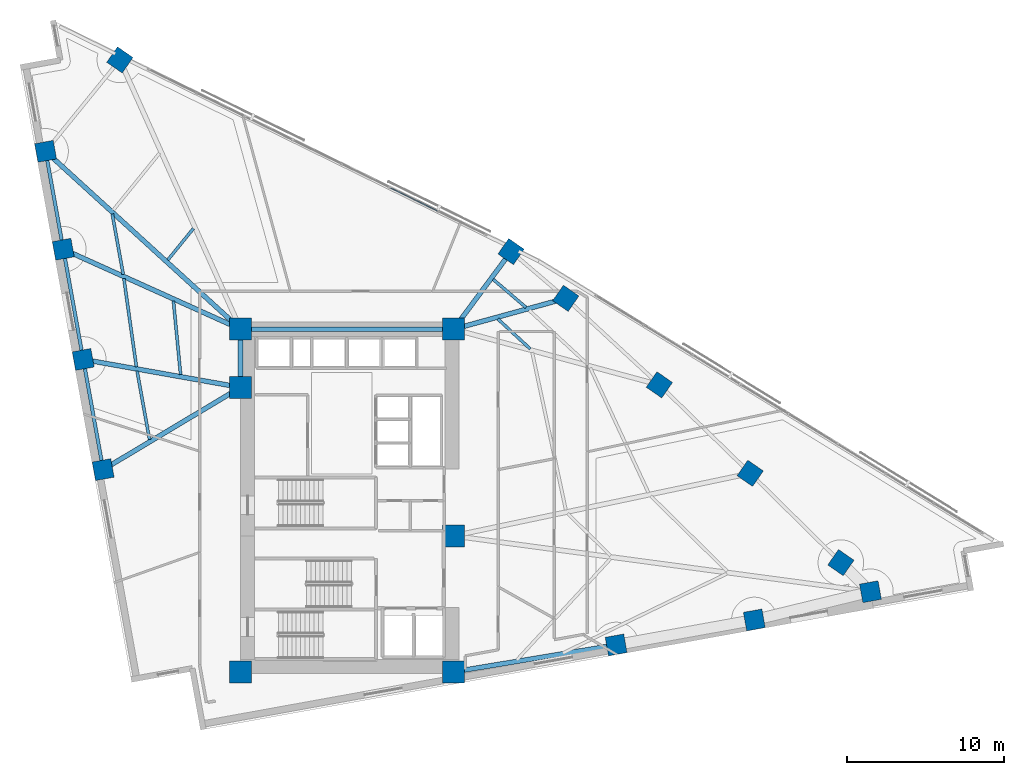
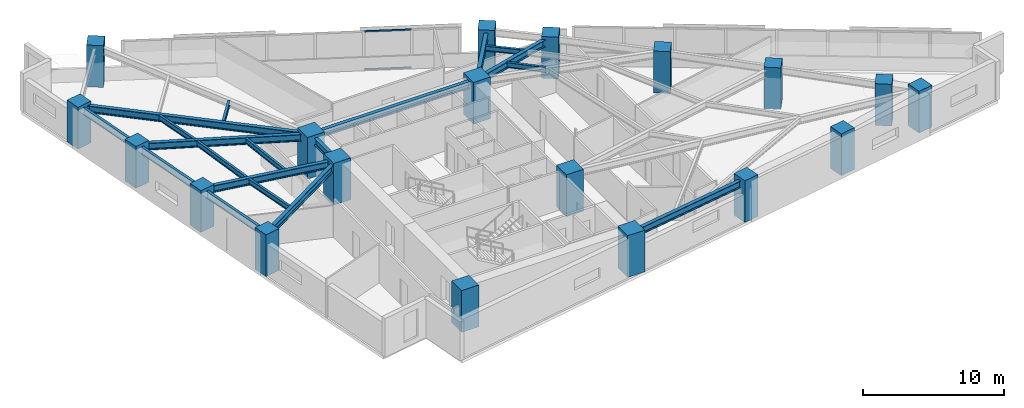
# One storey, part 1 of 18: 19 beams, 19 columns, 2 members, 1 element without a shape of its own.
"""IFC4 building model written with IfcOpenShell, lengths in metres."""

from ifc_helpers import new_model, si_unit, direction, frame, origin, origin_2d, place, context, subcontext, project, spatial, rectangle, hollow_rectangle, i_section, extrude, material, material_profile, profile_set, type_object, element, aggregate, save


model = new_model("IFC4")

# Units and contexts
model_context = context("Model", 3, precision=1e-05, world=origin(), true_north=direction((0.0, 1.0)))
body_context = subcontext(model_context, "Body", "Model", "MODEL_VIEW")
ifc_project = project(units=[si_unit("LENGTHUNIT", "METRE"), si_unit("AREAUNIT", "SQUARE_METRE"), si_unit("VOLUMEUNIT", "CUBIC_METRE"), si_unit("PLANEANGLEUNIT", "RADIAN"), si_unit("MASSUNIT", "GRAM", prefix="KILO")], contexts=[model_context])

# Site, building, storey
site_placement = place(None, origin())
site = spatial("IfcSite", under=ifc_project, at=site_placement, CompositionType="ELEMENT")
building_placement = place(site_placement, origin())
building = spatial("IfcBuilding", under=site, at=building_placement, Name="Narakoshi Arena Tower", CompositionType="ELEMENT")
storey_placement = place(building_placement, frame((0.0, 0.0, 110.10009765625)))
storey = spatial("IfcBuildingStorey", under=building, at=storey_placement, Name="L29", CompositionType="ELEMENT", Elevation=110.10009765625)

# Columns
ifc_material_1 = material(Name="Concrete C60/75", Category="concrete")
ifc_material_profile_1 = material_profile(ifc_material_1, rectangle(XDim=1.199951171875, YDim=1.199951171875, at=origin_2d()), Name="RC1200x1200")
ifc_profile_set_1 = profile_set([ifc_material_profile_1], Name="Concrete C60/75")
column_type_1 = type_object("IfcColumnType", Name="COL-RC1200", PredefinedType="COLUMN", material=ifc_profile_set_1)
for number, where, z_axis, x_axis, name in (
    (1, (95.89013671875, 36.411865234375, 0.0), (0.0, 0.0, 1.0), (0.984040697646, 0.177943545474, 0.0), "L29 Tower Perimeter Column TC02"),
    (2, (104.681396484375, 38.00146484375, 0.0), (0.0, 0.0, 1.0), (0.984040697646, 0.177943545474, 0.0), "L29 Tower Perimeter Column TC03"),
    (3, (112.0703125, 39.7978515625, 0.0), (0.0, 0.0, 1.0), (0.984040697646, 0.177943545474, 0.0), "L29 Tower Perimeter Column TC04"),
    (4, (110.189208984375, 41.650146484375, 0.0), (0.0, 0.0, 1.0), (0.569996762596, 0.821646937942, 0.0), "L29 Tower Perimeter Column TC05"),
    (5, (104.42041015625, 47.33056640625, 0.0), (0.0, 0.0, 1.0), (0.569996762596, 0.821646937942, 0.0), "L29 Tower Perimeter Column TC06"),
    (6, (98.641357421875, 52.95849609375, 0.0), (0.0, 0.0, 1.0), (0.569996762596, 0.821646937942, 0.0), "L29 Tower Perimeter Column TC07"),
    (7, (92.68994140625, 58.462890625, 0.0), (0.0, 0.0, 1.0), (0.569996762596, 0.821646937942, 0.0), "L29 Tower Perimeter Column TC08"),
    (8, (89.206787109375, 61.437744140625, 0.0), (0.0, 0.0, 1.0), (0.569996762596, 0.821646937942, 0.0), "L29 Tower Perimeter Column TC09"),
    (9, (64.31787109375, 73.633056640625, 0.0), (0.0, 0.0, 1.0), (0.569996762596, 0.821646937942, 0.0), "L29 Tower Perimeter Column TC11"),
    (10, (59.593505859375, 67.81591796875, 0.0), (0.0, 0.0, 1.0), (-0.177943545474, 0.984040697646, 0.0), "L29 Tower Perimeter Column TC13"),
    (11, (60.72021484375, 61.585205078125, 0.0), (0.0, 0.0, 1.0), (-0.177943545474, 0.984040697646, 0.0), "L29 Tower Perimeter Column TC14"),
    (12, (61.98779296875, 54.575439453125, 0.0), (0.0, 0.0, 1.0), (-0.177943545474, 0.984040697646, 0.0), "L29 Tower Perimeter Column TC15"),
    (13, (63.25537109375, 47.56591796875, 0.0), (0.0, 0.0, 1.0), (-0.177943545474, 0.984040697646, 0.0), "L29 Tower Perimeter Column TC16"),
):
    element("IfcColumn", number, at=place(storey_placement, frame(where, z_axis=z_axis, x_axis=x_axis)), inside=storey, type_object=column_type_1, Name=name, PredefinedType="COLUMN", context=body_context, shape_type="SweptSolid", body=[
        extrude(rectangle(XDim=1.199951171875, YDim=1.199951171875, at=origin_2d()), origin(), (0.0, 0.0, 1.0), 3.599853515625),
    ])
ifc_material_profile_2 = material_profile(ifc_material_1, rectangle(XDim=1.39990234375, YDim=1.39990234375, at=origin_2d()), Name="RC1400x1400")
ifc_profile_set_2 = profile_set([ifc_material_profile_2], Name="Concrete C60/75")
column_type_2 = type_object("IfcColumnType", Name="COL-RC1400", PredefinedType="COLUMN", material=ifc_profile_set_2)
for number, where, z_axis, x_axis, name in (
    (14, (72.0, 34.699951171875, 0.0), (0.0, 0.0, 1.0), (1.0, 0.0, 0.0), "L29 Core Structural Column CC1"),
    (15, (85.550048828125, 34.699951171875, 0.0), (0.0, 0.0, 1.0), (1.0, 0.0, 0.0), "L29 Core Structural Column CC2"),
    (16, (85.550048828125, 43.35009765625, 0.0), (0.0, 0.0, 1.0), (1.0, 0.0, 0.0), "L29 Core Structural Column CC3"),
    (17, (72.0, 52.800048828125, 0.0), (0.0, 0.0, 1.0), (1.0, 0.0, 0.0), "L29 Core Structural Column CC4"),
    (18, (72.0, 56.5, 0.0), (0.0, 0.0, 1.0), (1.0, 0.0, 0.0), "L29 Core Structural Column CC5"),
    (19, (85.550048828125, 56.5, 0.0), (0.0, 0.0, 1.0), (1.0, 0.0, 0.0), "L29 Core Structural Column CC6"),
):
    element("IfcColumn", number, at=place(storey_placement, frame(where, z_axis=z_axis, x_axis=x_axis)), inside=storey, type_object=column_type_2, Name=name, PredefinedType="COLUMN", context=body_context, shape_type="SweptSolid", body=[
        extrude(rectangle(XDim=1.39990234375, YDim=1.39990234375, at=origin_2d()), origin(), (0.0, 0.0, 1.0), 3.599853515625),
    ])

# Beams
ifc_material_2 = material(Name="Structural steel S355J2", Category="steel")
ifc_material_profile_3 = material_profile(ifc_material_2, i_section(OverallWidth=0.219970703125, OverallDepth=0.60009765625, WebThickness=0.011962890625, FlangeThickness=0.01904296875, FilletRadius=0.02392578125, at=origin_2d()), Name="IPE600")
ifc_profile_set_3 = profile_set([ifc_material_profile_3], Name="Structural steel S355J2")
beam_type_1 = type_object("IfcBeamType", Name="BM-EDGE-600", PredefinedType="BEAM", material=ifc_profile_set_3)
beam_1_placement = place(storey_placement, frame((59.593505859375, 67.81591796875, 3.039794921875), z_axis=(0.177945465207, -0.9840403505, 0.0), x_axis=(0.9840403505, 0.177945465207, 0.0)))
element("IfcBeam", 20, at=beam_1_placement, inside=storey, type_object=beam_type_1, Name="L29 Perimeter Edge Girder 10", PredefinedType="BEAM", context=body_context, shape_type="SweptSolid", body=[
    extrude(i_section(OverallWidth=0.219970703125, OverallDepth=0.60009765625, WebThickness=0.011962890625, FlangeThickness=0.01904296875, FilletRadius=0.02392578125, at=origin_2d()), origin(), (0.0, 0.0, 1.0), 6.331787109375),
])
beam_2_placement = place(storey_placement, frame((60.72021484375, 61.585205078125, 3.039794921875), z_axis=(0.177944362466, -0.98404054991, 0.0), x_axis=(0.98404054991, 0.177944362466, 0.0)))
element("IfcBeam", 21, at=beam_2_placement, inside=storey, type_object=beam_type_1, Name="L29 Perimeter Edge Girder 11", PredefinedType="BEAM", context=body_context, shape_type="SweptSolid", body=[
    extrude(i_section(OverallWidth=0.219970703125, OverallDepth=0.60009765625, WebThickness=0.011962890625, FlangeThickness=0.01904296875, FilletRadius=0.02392578125, at=origin_2d()), origin(), (0.0, 0.0, 1.0), 7.12353515625),
])
beam_3_placement = place(storey_placement, frame((61.98779296875, 54.575439453125, 3.039794921875), z_axis=(0.177950363985, -0.984039464634, 0.0), x_axis=(0.984039464634, 0.177950363985, 0.0)))
element("IfcBeam", 22, at=beam_3_placement, inside=storey, type_object=beam_type_1, Name="L29 Perimeter Edge Girder 12", PredefinedType="BEAM", context=body_context, shape_type="SweptSolid", body=[
    extrude(i_section(OverallWidth=0.219970703125, OverallDepth=0.60009765625, WebThickness=0.011962890625, FlangeThickness=0.01904296875, FilletRadius=0.02392578125, at=origin_2d()), origin(), (0.0, 0.0, 1.0), 7.123291015625),
])
ifc_material_profile_4 = material_profile(ifc_material_2, i_section(OverallWidth=0.300048828125, OverallDepth=0.60009765625, WebThickness=0.015380859375, FlangeThickness=0.030029296875, FilletRadius=0.027099609375, at=origin_2d()), Name="HE600B")
ifc_profile_set_4 = profile_set([ifc_material_profile_4], Name="Structural steel S355J2")
beam_type_2 = type_object("IfcBeamType", Name="BM-PRI-600", PredefinedType="BEAM", material=ifc_profile_set_4)
beam_4_placement = place(storey_placement, frame((85.550048828125, 34.699951171875, 3.039794921875), z_axis=(0.986570261116, 0.163337441762, 0.0), x_axis=(-0.163337441762, 0.986570261116, 0.0)))
element("IfcBeam", 23, at=beam_4_placement, inside=storey, type_object=beam_type_2, Name="L29 Radial Primary Floor Girder 01", PredefinedType="BEAM", context=body_context, shape_type="SweptSolid", body=[
    extrude(i_section(OverallWidth=0.300048828125, OverallDepth=0.60009765625, WebThickness=0.015380859375, FlangeThickness=0.030029296875, FilletRadius=0.027099609375, at=origin_2d()), origin(), (0.0, 0.0, 1.0), 10.48095703125),
])
beam_5_placement = place(storey_placement, frame((85.550048828125, 56.5, 3.039794921875), z_axis=(0.964225409977, 0.265083682551, 0.0), x_axis=(-0.265083682551, 0.964225409977, 0.0)))
element("IfcBeam", 24, at=beam_5_placement, inside=storey, type_object=beam_type_2, Name="L29 Radial Primary Floor Girder 07", PredefinedType="BEAM", context=body_context, shape_type="SweptSolid", body=[
    extrude(i_section(OverallWidth=0.300048828125, OverallDepth=0.60009765625, WebThickness=0.015380859375, FlangeThickness=0.030029296875, FilletRadius=0.027099609375, at=origin_2d()), origin(), (0.0, 0.0, 1.0), 7.40478515625),
])
beam_6_placement = place(storey_placement, frame((85.550048828125, 56.5, 3.039794921875), z_axis=(0.595138224279, 0.803623353321, 0.0), x_axis=(-0.803623353321, 0.595138224279, 0.0)))
element("IfcBeam", 25, at=beam_6_placement, inside=storey, type_object=beam_type_2, Name="L29 Radial Primary Floor Girder 08", PredefinedType="BEAM", context=body_context, shape_type="SweptSolid", body=[
    extrude(i_section(OverallWidth=0.300048828125, OverallDepth=0.60009765625, WebThickness=0.015380859375, FlangeThickness=0.030029296875, FilletRadius=0.027099609375, at=origin_2d()), origin(), (0.0, 0.0, 1.0), 6.144287109375),
])
beam_7_placement = place(storey_placement, frame((72.0, 56.5, 3.039794921875), z_axis=(-0.738833839277, 0.673887644893, 0.0), x_axis=(-0.673887644893, -0.738833839277, 0.0)))
element("IfcBeam", 26, at=beam_7_placement, inside=storey, type_object=beam_type_2, Name="L29 Radial Primary Floor Girder 10", PredefinedType="BEAM", context=body_context, shape_type="SweptSolid", body=[
    extrude(i_section(OverallWidth=0.300048828125, OverallDepth=0.60009765625, WebThickness=0.015380859375, FlangeThickness=0.030029296875, FilletRadius=0.027099609375, at=origin_2d()), origin(), (0.0, 0.0, 1.0), 16.7919921875),
])
beam_8_placement = place(storey_placement, frame((72.0, 56.5, 3.039794921875), z_axis=(-0.911639961566, 0.410989757142, 0.0), x_axis=(-0.410989757142, -0.911639961566, 0.0)))
element("IfcBeam", 27, at=beam_8_placement, inside=storey, type_object=beam_type_2, Name="L29 Radial Primary Floor Girder 11", PredefinedType="BEAM", context=body_context, shape_type="SweptSolid", body=[
    extrude(i_section(OverallWidth=0.300048828125, OverallDepth=0.60009765625, WebThickness=0.015380859375, FlangeThickness=0.030029296875, FilletRadius=0.027099609375, at=origin_2d()), origin(), (0.0, 0.0, 1.0), 12.373046875),
])
beam_9_placement = place(storey_placement, frame((72.0, 52.800048828125, 3.039794921875), z_axis=(-0.984639647685, 0.174598866568, 0.0), x_axis=(-0.174598866568, -0.984639647685, 0.0)))
element("IfcBeam", 28, at=beam_9_placement, inside=storey, type_object=beam_type_2, Name="L29 Radial Primary Floor Girder 12", PredefinedType="BEAM", context=body_context, shape_type="SweptSolid", body=[
    extrude(i_section(OverallWidth=0.300048828125, OverallDepth=0.60009765625, WebThickness=0.015380859375, FlangeThickness=0.030029296875, FilletRadius=0.027099609375, at=origin_2d()), origin(), (0.0, 0.0, 1.0), 10.16845703125),
])
beam_10_placement = place(storey_placement, frame((72.0, 52.800048828125, 3.039794921875), z_axis=(-0.858039895053, -0.513583039534, 0.0), x_axis=(0.513583039534, -0.858039895053, 0.0)))
element("IfcBeam", 29, at=beam_10_placement, inside=storey, type_object=beam_type_2, Name="L29 Radial Primary Floor Girder 13", PredefinedType="BEAM", context=body_context, shape_type="SweptSolid", body=[
    extrude(i_section(OverallWidth=0.300048828125, OverallDepth=0.60009765625, WebThickness=0.015380859375, FlangeThickness=0.030029296875, FilletRadius=0.027099609375, at=origin_2d()), origin(), (0.0, 0.0, 1.0), 10.19140625),
])
beam_11_placement = place(storey_placement, frame((72.0, 52.800048828125, 3.039794921875), z_axis=(0.0, 1.0, 0.0), x_axis=(-1.0, 0.0, 0.0)))
element("IfcBeam", 30, at=beam_11_placement, inside=storey, type_object=beam_type_2, Name="L29 Core Perimeter Frame Beam CC4-CC5", PredefinedType="BEAM", context=body_context, shape_type="SweptSolid", body=[
    extrude(i_section(OverallWidth=0.300048828125, OverallDepth=0.60009765625, WebThickness=0.015380859375, FlangeThickness=0.030029296875, FilletRadius=0.027099609375, at=origin_2d()), origin(), (0.0, 0.0, 1.0), 3.699951171875),
])
beam_12_placement = place(storey_placement, frame((72.0, 56.5, 3.039794921875), z_axis=(1.0, 0.0, 0.0), x_axis=(0.0, 1.0, 0.0)))
element("IfcBeam", 31, at=beam_12_placement, inside=storey, type_object=beam_type_2, Name="L29 Core Perimeter Frame Beam CC5-CC6", PredefinedType="BEAM", context=body_context, shape_type="SweptSolid", body=[
    extrude(i_section(OverallWidth=0.300048828125, OverallDepth=0.60009765625, WebThickness=0.015380859375, FlangeThickness=0.030029296875, FilletRadius=0.027099609375, at=origin_2d()), origin(), (0.0, 0.0, 1.0), 13.550048828125),
])
ifc_material_profile_5 = material_profile(ifc_material_2, i_section(OverallWidth=0.18994140625, OverallDepth=0.449951171875, WebThickness=0.009521484375, FlangeThickness=0.0146484375, FilletRadius=0.02099609375, at=origin_2d()), Name="IPE450")
ifc_profile_set_5 = profile_set([ifc_material_profile_5], Name="Structural steel S355J2")
beam_type_3 = type_object("IfcBeamType", Name="BM-SEC-450", PredefinedType="JOIST", material=ifc_profile_set_5)
beam_13_placement = place(storey_placement, frame((90.425537109375, 55.245849609375, 3.114990234375), z_axis=(-0.734107017301, 0.679033789402, 0.0), x_axis=(-0.679033789402, -0.734107017301, 0.0)))
element("IfcBeam", 32, at=beam_13_placement, inside=storey, type_object=beam_type_3, Name="L29 Composite Secondary Floor Joist 07", PredefinedType="JOIST", context=body_context, shape_type="SweptSolid", body=[
    extrude(i_section(OverallWidth=0.18994140625, OverallDepth=0.449951171875, WebThickness=0.009521484375, FlangeThickness=0.0146484375, FilletRadius=0.02099609375, at=origin_2d()), origin(), (0.0, 0.0, 1.0), 2.810546875),
])
beam_14_placement = place(storey_placement, frame((90.15966796875, 57.88330078125, 3.114990234375), z_axis=(-0.760394661797, 0.649461283149, 0.0), x_axis=(-0.649461283149, -0.760394661797, 0.0)))
element("IfcBeam", 33, at=beam_14_placement, inside=storey, type_object=beam_type_3, Name="L29 Composite Secondary Floor Joist 09", PredefinedType="JOIST", context=body_context, shape_type="SweptSolid", body=[
    extrude(i_section(OverallWidth=0.18994140625, OverallDepth=0.449951171875, WebThickness=0.009521484375, FlangeThickness=0.0146484375, FilletRadius=0.02099609375, at=origin_2d()), origin(), (0.0, 0.0, 1.0), 2.753173828125),
])
beam_15_placement = place(storey_placement, frame((68.99560546875, 62.90576171875, 3.114990234375), z_axis=(-0.630407193219, -0.776264626746, 0.0), x_axis=(0.776264626746, -0.630407193219, 0.0)))
element("IfcBeam", 34, at=beam_15_placement, inside=storey, type_object=beam_type_3, Name="L29 Composite Secondary Floor Joist 10", PredefinedType="JOIST", context=body_context, shape_type="SweptSolid", body=[
    extrude(i_section(OverallWidth=0.18994140625, OverallDepth=0.449951171875, WebThickness=0.009521484375, FlangeThickness=0.0146484375, FilletRadius=0.02099609375, at=origin_2d()), origin(), (0.0, 0.0, 1.0), 2.57763671875),
])
beam_16_placement = place(storey_placement, frame((63.835693359375, 63.835693359375, 3.114990234375), z_axis=(0.177934538445, -0.98404232634, 0.0), x_axis=(0.98404232634, 0.177934538445, 0.0)))
element("IfcBeam", 35, at=beam_16_placement, inside=storey, type_object=beam_type_3, Name="L29 Composite Secondary Floor Joist 12", PredefinedType="JOIST", context=body_context, shape_type="SweptSolid", body=[
    extrude(i_section(OverallWidth=0.18994140625, OverallDepth=0.449951171875, WebThickness=0.009521484375, FlangeThickness=0.0146484375, FilletRadius=0.02099609375, at=origin_2d()), origin(), (0.0, 0.0, 1.0), 3.9091796875),
])
beam_17_placement = place(storey_placement, frame((67.726806640625, 58.298095703125, 3.114990234375), z_axis=(0.09670180162, -0.995313398666, 0.0), x_axis=(0.995313398666, 0.09670180162, 0.0)))
element("IfcBeam", 36, at=beam_17_placement, inside=storey, type_object=beam_type_3, Name="L29 Composite Secondary Floor Joist 13", PredefinedType="JOIST", context=body_context, shape_type="SweptSolid", body=[
    extrude(i_section(OverallWidth=0.18994140625, OverallDepth=0.449951171875, WebThickness=0.009521484375, FlangeThickness=0.0146484375, FilletRadius=0.02099609375, at=origin_2d()), origin(), (0.0, 0.0, 1.0), 4.7109375),
])
beam_18_placement = place(storey_placement, frame((64.57421875, 59.722412109375, 3.114990234375), z_axis=(0.140758627252, -0.99004394289, 0.0), x_axis=(0.99004394289, 0.140758627252, 0.0)))
element("IfcBeam", 37, at=beam_18_placement, inside=storey, type_object=beam_type_3, Name="L29 Composite Secondary Floor Joist 14", PredefinedType="JOIST", context=body_context, shape_type="SweptSolid", body=[
    extrude(i_section(OverallWidth=0.18994140625, OverallDepth=0.449951171875, WebThickness=0.009521484375, FlangeThickness=0.0146484375, FilletRadius=0.02099609375, at=origin_2d()), origin(), (0.0, 0.0, 1.0), 5.67333984375),
])
beam_19_placement = place(storey_placement, frame((65.416015625, 53.839111328125, 3.114990234375), z_axis=(0.177944838114, -0.984040463898, 0.0), x_axis=(0.984040463898, 0.177944838114, 0.0)))
element("IfcBeam", 38, at=beam_19_placement, inside=storey, type_object=beam_type_3, Name="L29 Composite Secondary Floor Joist 15", PredefinedType="JOIST", context=body_context, shape_type="SweptSolid", body=[
    extrude(i_section(OverallWidth=0.18994140625, OverallDepth=0.449951171875, WebThickness=0.009521484375, FlangeThickness=0.0146484375, FilletRadius=0.02099609375, at=origin_2d()), origin(), (0.0, 0.0, 1.0), 4.431640625),
])

# Curtain wall, members
ifc_material_3 = material(Name="Anodised bronze aluminium 6063-T6", Category="aluminium")
curtain_wall_type = type_object("IfcCurtainWallType", Name="CW-HYP-LOW", PredefinedType="NOTDEFINED", material=ifc_material_3)
curtain_wall_placement = place(storey_placement, origin())
curtain_wall = element("IfcCurtainWall", 39, at=curtain_wall_placement, inside=storey, type_object=curtain_wall_type, Name="L29 Folded Hypotenuse Curtain Wall 2-1", PredefinedType="NOTDEFINED")
ifc_material_profile_6 = material_profile(ifc_material_3, hollow_rectangle(XDim=0.06494140625, YDim=0.1298828125, WallThickness=0.00390625, OuterFilletRadius=0.0048828125, at=origin_2d()), Name="TRN130x65x4")
ifc_profile_set_6 = profile_set([ifc_material_profile_6], Name="Anodised bronze aluminium 6063-T6")
member_type = type_object("IfcMemberType", Name="MEM-TRN-130", PredefinedType="USERDEFINED", material=ifc_profile_set_6)
member_1_placement = place(storey_placement, frame((84.525634765625, 64.02099609375, 0.032470703125), z_axis=(-0.897986843255, 0.440022305503, 0.0), x_axis=(-0.440022305503, -0.897986843255, 0.0)))
member_1 = element("IfcMember", 40, at=member_1_placement, type_object=member_type, Name="CW-01 transom 2.1", ObjectType="TRANSOM", PredefinedType="USERDEFINED", context=body_context, shape_type="SweptSolid", body=[
    extrude(hollow_rectangle(XDim=0.06494140625, YDim=0.1298828125, WallThickness=0.00390625, OuterFilletRadius=0.0048828125, at=origin_2d()), origin(), (0.0, 0.0, 1.0), 3.347412109375),
])
member_2_placement = place(storey_placement, frame((84.525634765625, 64.02099609375, 3.307373046875), z_axis=(-0.897986843255, 0.440022305503, 0.0), x_axis=(-0.440022305503, -0.897986843255, 0.0)))
member_2 = element("IfcMember", 41, at=member_2_placement, type_object=member_type, Name="CW-01 transom 2.2", ObjectType="TRANSOM", PredefinedType="USERDEFINED", context=body_context, shape_type="SweptSolid", body=[
    extrude(hollow_rectangle(XDim=0.06494140625, YDim=0.1298828125, WallThickness=0.00390625, OuterFilletRadius=0.0048828125, at=origin_2d()), origin(), (0.0, 0.0, 1.0), 3.347412109375),
])
aggregate(curtain_wall, [member_1, member_2])

save(model, "model.ifc")
